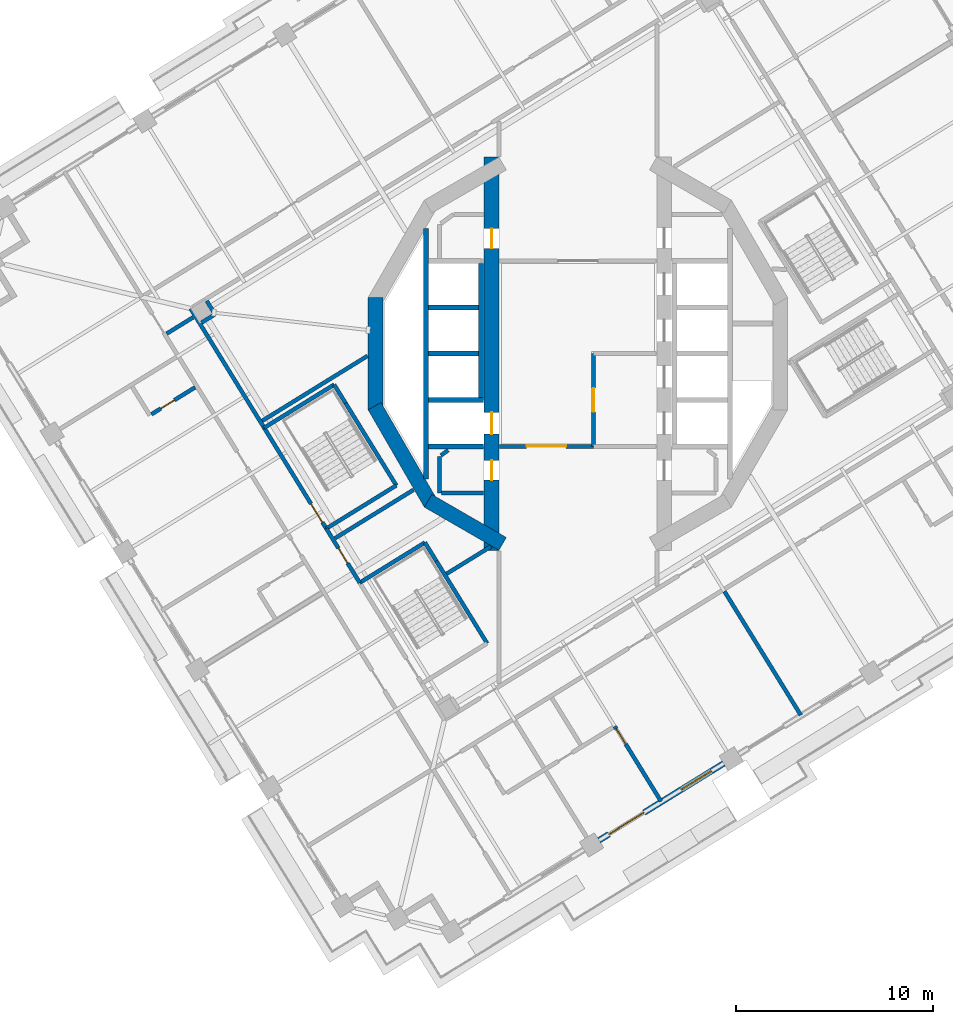
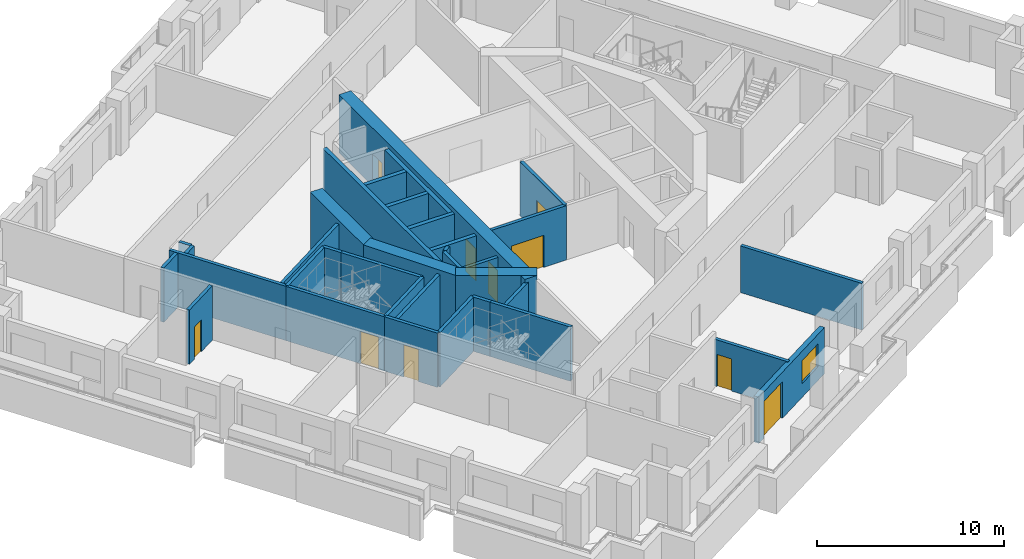
# One storey, part 5 of 20: 35 walls, 10 doors, 1 window, 11 openings.
"""IFC4 building model written with IfcOpenShell, lengths in metres."""

from ifc_helpers import new_model, si_unit, direction, frame, frame_2d, origin, place, context, subcontext, project, spatial, rectangle, extrude, material, layer, layer_set, type_object, element, fill, save


model = new_model("IFC4")

# Units and contexts
model_context = context("Model", 3, precision=1e-05, world=origin(), true_north=direction((0.0, 1.0)))
body_context = subcontext(model_context, "Body", "Model", "MODEL_VIEW")
ifc_project = project(units=[si_unit("LENGTHUNIT", "METRE"), si_unit("AREAUNIT", "SQUARE_METRE"), si_unit("VOLUMEUNIT", "CUBIC_METRE"), si_unit("PLANEANGLEUNIT", "RADIAN"), si_unit("MASSUNIT", "GRAM", prefix="KILO")], contexts=[model_context])

# Site, building, storey
site_placement = place(None, origin())
site = spatial("IfcSite", under=ifc_project, at=site_placement, CompositionType="ELEMENT")
building_placement = place(site_placement, origin())
building = spatial("IfcBuilding", under=site, at=building_placement, Name="Cantera Rosa Tower", CompositionType="ELEMENT")
storey_placement = place(building_placement, frame((0.0, 0.0, 181.800048828125)))
storey = spatial("IfcBuildingStorey", under=building, at=storey_placement, Name="L40", CompositionType="ELEMENT", Elevation=181.800048828125)

# Walls
ifc_material_1 = material(Name="Gypsum board partition")
ifc_layer_1 = layer(ifc_material_1, 0.199951171875)
ifc_layer_set_1 = layer_set([ifc_layer_1], Name="CORRIDOR WALL 200 H3550")
wall_type_1 = type_object("IfcWallType", Name="CORRIDOR WALL 200 H3550", PredefinedType="PARTITIONING", material=ifc_layer_set_1)
wall_1_placement = place(storey_placement, frame((-20.8349609375, 1.015380859375, 0.0), z_axis=(0.0, 0.0, 1.0), x_axis=(0.851143253059, 0.52493348414, 0.0)))
element("IfcWall", 1, at=wall_1_placement, inside=storey, type_object=wall_type_1, Name="CORRIDOR WALL L40-005", PredefinedType="PARTITIONING", context=body_context, shape_type="SweptSolid", body=[
    extrude(rectangle(XDim=1.579833984375, YDim=0.199951171875, at=frame_2d((0.7900390625, 0.0))), origin(), (0.0, 0.0, 1.0), 3.550048828125),
])
wall_2_placement = place(storey_placement, frame((-19.623291015625, 2.2890625, 0.0), z_axis=(0.0, 0.0, 1.0), x_axis=(0.524973806956, -0.851118383076, 0.0)))
element("IfcWall", 2, at=wall_2_placement, inside=storey, type_object=wall_type_1, Name="CORRIDOR WALL L40-006", PredefinedType="PARTITIONING", context=body_context, shape_type="SweptSolid", body=[
    extrude(rectangle(XDim=7.100830078125, YDim=0.199951171875, at=frame_2d((3.55029296875, 0.0))), origin(), (0.0, 0.0, 1.0), 3.550048828125),
])

# Wall, opening, door
wall_3_placement = place(storey_placement, frame((-12.74560546875, -8.861328125, 0.0), z_axis=(0.0, 0.0, 1.0), x_axis=(0.524959112102, -0.851127446756, 0.0)))
wall_3 = element("IfcWall", 3, at=wall_3_placement, inside=storey, type_object=wall_type_1, Name="CORRIDOR WALL L40-017", PredefinedType="PARTITIONING", context=body_context, shape_type="SweptSolid", body=[
    extrude(rectangle(XDim=3.223876953125, YDim=0.199951171875, at=frame_2d((1.61181640625, 0.0))), origin(), (0.0, 0.0, 1.0), 3.550048828125),
])
opening_1_placement = place(wall_3_placement, frame((1.16455078125, 0.0, 0.0)))
opening_1 = element("IfcOpeningElement", 4, at=opening_1_placement, cuts=wall_3, Name="Opening L40-008", PredefinedType="OPENING", context=body_context, shape_type="SweptSolid", body=[
    extrude(rectangle(XDim=0.89990234375, YDim=2.10009765625, at=frame_2d((0.449951171875, 1.050048828125))), frame((0.0, 0.10986328125, 0.0), z_axis=(0.0, -1.0, 0.0), x_axis=(1.0, 0.0, 0.0)), (0.0, 0.0, 1.0), 0.219970703125),
])
ifc_material_2 = material(Name="Timber door leaf", Category="wood")
door_type_1 = type_object("IfcDoorType", Name="SERVICE DOOR 900x2100", OperationType="NOTDEFINED", PredefinedType="DOOR", material=ifc_material_2)
door_1_placement = place(opening_1_placement, origin())
door_1 = element("IfcDoor", 5, at=door_1_placement, inside=storey, type_object=door_type_1, Name="DOOR L40-008", OperationType="NOTDEFINED", OverallHeight=2.10009765625, OverallWidth=0.89990234375, PredefinedType="DOOR", context=body_context, shape_type="SweptSolid", body=[
    extrude(rectangle(XDim=0.89990234375, YDim=2.10009765625, at=frame_2d((0.449951171875, 1.050048828125))), frame((0.0, 0.02490234375, 0.0), z_axis=(0.0, -1.0, 0.0), x_axis=(1.0, 0.0, 0.0)), (0.0, 0.0, 1.0), 0.050048828125),
])
fill(opening_1, door_1)

wall_4_placement = place(storey_placement, frame((0.800048828125, -4.699951171875, 0.0), z_axis=(0.0, 0.0, 1.0), x_axis=(-1.0, 0.0, 0.0)))
wall_4 = element("IfcWall", 6, at=wall_4_placement, inside=storey, type_object=wall_type_1, Name="CORRIDOR WALL L40-057", PredefinedType="PARTITIONING", context=body_context, shape_type="SweptSolid", body=[
    extrude(rectangle(XDim=4.77001953125, YDim=0.199951171875, at=frame_2d((2.385009765625, 0.0))), origin(), (0.0, 0.0, 1.0), 3.550048828125),
])
opening_2_placement = place(wall_4_placement, frame((1.39990234375, 0.0, 0.0)))
opening_2 = element("IfcOpeningElement", 7, at=opening_2_placement, cuts=wall_4, Name="Opening L40-014", PredefinedType="OPENING", context=body_context, shape_type="SweptSolid", body=[
    extrude(rectangle(XDim=2.0, YDim=2.10009765625, at=frame_2d((1.0, 1.050048828125))), frame((0.0, 0.10986328125, 0.0), z_axis=(0.0, -1.0, 0.0), x_axis=(1.0, 0.0, 0.0)), (0.0, 0.0, 1.0), 0.219970703125),
])
ifc_material_3 = material(Name="Steel S355J2 (EN 10025-2)", Category="steel")
door_type_2 = type_object("IfcDoorType", Name="LOBBY SCREEN DOOR 2000x2100", OperationType="NOTDEFINED", PredefinedType="DOOR", material=ifc_material_3)
door_2_placement = place(opening_2_placement, origin())
door_2 = element("IfcDoor", 8, at=door_2_placement, inside=storey, type_object=door_type_2, Name="DOOR L40-014", OperationType="NOTDEFINED", OverallHeight=2.10009765625, OverallWidth=2.0, PredefinedType="DOOR", context=body_context, shape_type="SweptSolid", body=[
    extrude(rectangle(XDim=2.0, YDim=2.10009765625, at=frame_2d((1.0, 1.050048828125))), frame((0.0, 0.02490234375, 0.0), z_axis=(0.0, -1.0, 0.0), x_axis=(1.0, 0.0, 0.0)), (0.0, 0.0, 1.0), 0.050048828125),
])
fill(opening_2, door_2)

# Wall, openings, window, door
ifc_material_4 = material(Name="Hollow clay masonry with cantera stone cladding", Category="masonry")
ifc_layer_2 = layer(ifc_material_4, 0.300048828125)
ifc_layer_set_2 = layer_set([ifc_layer_2], Name="EW-LOGGIA 300 H3020")
wall_type_2 = type_object("IfcWallType", Name="EW-LOGGIA 300 H3020", PredefinedType="SOLIDWALL", material=ifc_layer_set_2)
wall_5_placement = place(storey_placement, frame((1.07421875, -24.656982421875, 0.0), z_axis=(0.0, 0.0, 1.0), x_axis=(0.85112578684, 0.524961803349, 0.0)))
wall_5 = element("IfcWall", 9, at=wall_5_placement, inside=storey, type_object=wall_type_2, Name="EN-L40-W23", PredefinedType="SOLIDWALL", context=body_context, shape_type="SweptSolid", body=[
    extrude(rectangle(XDim=7.420166015625, YDim=0.300048828125, at=frame_2d((3.7099609375, 0.0))), origin(), (0.0, 0.0, 1.0), 3.02001953125),
])
opening_3_placement = place(wall_5_placement, frame((0.580078125, 0.0, 0.0)))
opening_3 = element("IfcOpeningElement", 10, at=opening_3_placement, cuts=wall_5, Name="Opening L40-TD29", PredefinedType="OPENING", context=body_context, shape_type="SweptSolid", body=[
    extrude(rectangle(XDim=2.10009765625, YDim=2.39990234375, at=frame_2d((1.050048828125, 1.199951171875))), frame((0.0, 0.159912109375, 0.0), z_axis=(0.0, -1.0, 0.0), x_axis=(1.0, 0.0, 0.0)), (0.0, 0.0, 1.0), 0.320068359375),
])
opening_4_placement = place(wall_5_placement, frame((4.889892578125, 0.0, 0.89990234375)))
opening_4 = element("IfcOpeningElement", 11, at=opening_4_placement, cuts=wall_5, Name="Opening L40-W30", PredefinedType="OPENING", context=body_context, shape_type="SweptSolid", body=[
    extrude(rectangle(XDim=1.800048828125, YDim=1.5, at=frame_2d((0.89990234375, 0.75))), frame((0.0, 0.159912109375, 0.0), z_axis=(0.0, -1.0, 0.0), x_axis=(1.0, 0.0, 0.0)), (0.0, 0.0, 1.0), 0.320068359375),
])
ifc_material_5 = material(Name="Aluminium frame with clear glass", Category="aluminium")
window_type = type_object("IfcWindowType", Name="Hotel room window 1800x1500", PartitioningType="DOUBLE_PANEL_VERTICAL", PredefinedType="WINDOW", material=ifc_material_5)
window_placement = place(opening_4_placement, origin())
window = element("IfcWindow", 12, at=window_placement, inside=storey, type_object=window_type, Name="WINDOW L40-W30", OverallHeight=1.5, OverallWidth=1.800048828125, PartitioningType="SINGLE_PANEL", PredefinedType="WINDOW", context=body_context, shape_type="SweptSolid", body=[
    extrude(rectangle(XDim=1.800048828125, YDim=1.5, at=frame_2d((0.89990234375, 0.75))), frame((0.0, 0.030029296875, 0.0), z_axis=(0.0, -1.0, 0.0), x_axis=(1.0, 0.0, 0.0)), (0.0, 0.0, 1.0), 0.06005859375),
])
fill(opening_4, window)
ifc_material_6 = material(Name="Aluminium frame with clear glass", Category="aluminium")
door_type_3 = type_object("IfcDoorType", Name="TD-H 2100x2400", OperationType="NOTDEFINED", PredefinedType="DOOR", material=ifc_material_6)
door_3_placement = place(opening_3_placement, origin())
door_3 = element("IfcDoor", 13, at=door_3_placement, inside=storey, type_object=door_type_3, Name="LOGGIA DOOR L40-TD29", OperationType="SLIDING_TO_LEFT", OverallHeight=2.39990234375, OverallWidth=2.10009765625, PredefinedType="DOOR", context=body_context, shape_type="SweptSolid", body=[
    extrude(rectangle(XDim=2.10009765625, YDim=2.39990234375, at=frame_2d((1.050048828125, 1.199951171875))), frame((0.0, 0.02490234375, 0.0), z_axis=(0.0, -1.0, 0.0), x_axis=(1.0, 0.0, 0.0)), (0.0, 0.0, 1.0), 0.050048828125),
])
fill(opening_3, door_3)

# Wall, opening, door
ifc_material_7 = material(Name="Gypsum board partition")
ifc_layer_3 = layer(ifc_material_7, 0.199951171875)
ifc_layer_set_3 = layer_set([ifc_layer_3], Name="PARTITION 200 H3050")
wall_type_3 = type_object("IfcWallType", Name="PARTITION 200 H3050", PredefinedType="PARTITIONING", material=ifc_layer_set_3)
wall_6_placement = place(storey_placement, frame((1.86962890625, -18.87939453125, 0.0), z_axis=(0.0, 0.0, 1.0), x_axis=(0.524986965499, -0.851110266685, 0.0)))
wall_6 = element("IfcWall", 14, at=wall_6_placement, inside=storey, type_object=wall_type_3, Name="PARTITION L40-062", PredefinedType="PARTITIONING", context=body_context, shape_type="SweptSolid", body=[
    extrude(rectangle(XDim=4.469970703125, YDim=0.199951171875, at=frame_2d((2.23486328125, 0.0))), origin(), (0.0, 0.0, 1.0), 3.050048828125),
])
opening_5_placement = place(wall_6_placement, frame((0.14990234375, 0.0, 0.0)))
opening_5 = element("IfcOpeningElement", 15, at=opening_5_placement, cuts=wall_6, Name="Opening L40-037", PredefinedType="OPENING", context=body_context, shape_type="SweptSolid", body=[
    extrude(rectangle(XDim=0.89990234375, YDim=2.10009765625, at=frame_2d((0.449951171875, 1.050048828125))), frame((0.0, 0.10986328125, 0.0), z_axis=(0.0, -1.0, 0.0), x_axis=(1.0, 0.0, 0.0)), (0.0, 0.0, 1.0), 0.219970703125),
])
ifc_material_8 = material(Name="Timber door leaf", Category="wood")
door_type_4 = type_object("IfcDoorType", Name="ROOM DOOR 900x2100", OperationType="NOTDEFINED", PredefinedType="DOOR", material=ifc_material_8)
door_4_placement = place(opening_5_placement, origin())
door_4 = element("IfcDoor", 16, at=door_4_placement, inside=storey, type_object=door_type_4, Name="DOOR L40-037", OperationType="NOTDEFINED", OverallHeight=2.10009765625, OverallWidth=0.89990234375, PredefinedType="DOOR", context=body_context, shape_type="SweptSolid", body=[
    extrude(rectangle(XDim=0.89990234375, YDim=2.10009765625, at=frame_2d((0.449951171875, 1.050048828125))), frame((0.0, 0.02490234375, 0.0), z_axis=(0.0, -1.0, 0.0), x_axis=(1.0, 0.0, 0.0)), (0.0, 0.0, 1.0), 0.050048828125),
])
fill(opening_5, door_4)

ifc_material_9 = material(Name="Gypsum board partition")
ifc_layer_4 = layer(ifc_material_9, 0.199951171875)
ifc_layer_set_4 = layer_set([ifc_layer_4], Name="PARTITION 200 H3550")
wall_type_4 = type_object("IfcWallType", Name="PARTITION 200 H3550", PredefinedType="PARTITIONING", material=ifc_layer_set_4)
wall_7_placement = place(storey_placement, frame((-19.392578125, -1.704345703125, 0.0), z_axis=(0.0, 0.0, 1.0), x_axis=(-0.851106537623, -0.524993011016, 0.0)))
wall_7 = element("IfcWall", 17, at=wall_7_placement, inside=storey, type_object=wall_type_4, Name="PARTITION L40-007", PredefinedType="PARTITIONING", context=body_context, shape_type="SweptSolid", body=[
    extrude(rectangle(XDim=2.60009765625, YDim=0.199951171875, at=frame_2d((1.300048828125, 0.0))), origin(), (0.0, 0.0, 1.0), 3.550048828125),
])
opening_6_placement = place(wall_7_placement, frame((1.236083984375, 0.0, 0.0)))
opening_6 = element("IfcOpeningElement", 18, at=opening_6_placement, cuts=wall_7, Name="Opening L40-032", PredefinedType="OPENING", context=body_context, shape_type="SweptSolid", body=[
    extrude(rectangle(XDim=0.800048828125, YDim=2.10009765625, at=frame_2d((0.39990234375, 1.050048828125))), frame((0.0, 0.10986328125, 0.0), z_axis=(0.0, -1.0, 0.0), x_axis=(1.0, 0.0, 0.0)), (0.0, 0.0, 1.0), 0.219970703125),
])
ifc_material_10 = material(Name="Timber door leaf", Category="wood")
door_type_5 = type_object("IfcDoorType", Name="BATHROOM DOOR 800x2100", OperationType="NOTDEFINED", PredefinedType="DOOR", material=ifc_material_10)
door_5_placement = place(opening_6_placement, origin())
door_5 = element("IfcDoor", 19, at=door_5_placement, inside=storey, type_object=door_type_5, Name="DOOR L40-032", OperationType="NOTDEFINED", OverallHeight=2.10009765625, OverallWidth=0.800048828125, PredefinedType="DOOR", context=body_context, shape_type="SweptSolid", body=[
    extrude(rectangle(XDim=0.800048828125, YDim=2.10009765625, at=frame_2d((0.39990234375, 1.050048828125))), frame((0.0, 0.02490234375, 0.0), z_axis=(0.0, -1.0, 0.0), x_axis=(1.0, 0.0, 0.0)), (0.0, 0.0, 1.0), 0.050048828125),
])
fill(opening_6, door_5)

# Walls
wall_8_placement = place(storey_placement, frame((-19.065673828125, 1.575439453125, 0.0), z_axis=(0.0, 0.0, 1.0), x_axis=(0.85101860469, 0.525135539144, 0.0)))
element("IfcWall", 20, at=wall_8_placement, inside=storey, type_object=wall_type_4, Name="PARTITION L40-008", PredefinedType="PARTITIONING", context=body_context, shape_type="SweptSolid", body=[
    extrude(rectangle(XDim=0.800048828125, YDim=0.199951171875, at=frame_2d((0.39990234375, 0.0))), origin(), (0.0, 0.0, 1.0), 3.550048828125),
])
wall_9_placement = place(storey_placement, frame((-18.437255859375, 2.08056640625, 0.0), z_axis=(0.0, 0.0, 1.0), x_axis=(-0.524817119332, 0.851215008829, 0.0)))
element("IfcWall", 21, at=wall_9_placement, inside=storey, type_object=wall_type_4, Name="PARTITION L40-009", PredefinedType="PARTITIONING", context=body_context, shape_type="SweptSolid", body=[
    extrude(rectangle(XDim=0.7001953125, YDim=0.199951171875, at=frame_2d((0.35009765625, 0.0))), origin(), (0.0, 0.0, 1.0), 3.550048828125),
])
wall_10_placement = place(storey_placement, frame((-12.302734375, -9.350830078125, 0.0), z_axis=(0.0, 0.0, 1.0), x_axis=(0.851127330536, 0.524959300532, 0.0)))
element("IfcWall", 22, at=wall_10_placement, inside=storey, type_object=wall_type_4, Name="PARTITION L40-018", PredefinedType="PARTITIONING", context=body_context, shape_type="SweptSolid", body=[
    extrude(rectangle(XDim=4.6767578125, YDim=0.199951171875, at=frame_2d((2.33837890625, 0.0))), origin(), (0.0, 0.0, 1.0), 3.550048828125),
])
wall_11_placement = place(storey_placement, frame((-10.6552734375, -0.110107421875, 0.0), z_axis=(0.0, 0.0, 1.0), x_axis=(-0.851110010031, -0.524987381587, 0.0)))
element("IfcWall", 23, at=wall_11_placement, inside=storey, type_object=wall_type_4, Name="PARTITION L40-021", PredefinedType="PARTITIONING", context=body_context, shape_type="SweptSolid", body=[
    extrude(rectangle(XDim=6.2734375, YDim=0.199951171875, at=frame_2d((3.13671875, 0.0))), origin(), (0.0, 0.0, 1.0), 3.550048828125),
])
wall_12_placement = place(storey_placement, frame((-7.0, -7.050048828125, 0.0), z_axis=(0.0, 0.0, 1.0), x_axis=(0.0, 1.0, 0.0)))
element("IfcWall", 24, at=wall_12_placement, inside=storey, type_object=wall_type_4, Name="PARTITION L40-034", PredefinedType="PARTITIONING", context=body_context, shape_type="SweptSolid", body=[
    extrude(rectangle(XDim=1.85009765625, YDim=0.199951171875, at=frame_2d((0.925048828125, 0.0))), origin(), (0.0, 0.0, 1.0), 3.550048828125),
])
wall_13_placement = place(storey_placement, frame((-6.935302734375, -5.15283203125, 0.0), z_axis=(0.0, 0.0, 1.0), x_axis=(0.808147744029, 0.58897981614, 0.0)))
element("IfcWall", 25, at=wall_13_placement, inside=storey, type_object=wall_type_4, Name="PARTITION L40-035", PredefinedType="PARTITIONING", context=body_context, shape_type="SweptSolid", body=[
    extrude(rectangle(XDim=0.448974609375, YDim=0.199951171875, at=frame_2d((0.224609375, 0.0))), origin(), (0.0, 0.0, 1.0), 3.550048828125),
])
wall_14_placement = place(storey_placement, frame((-4.780029296875, -7.050048828125, 0.0), z_axis=(0.0, 0.0, 1.0), x_axis=(-1.0, 0.0, 0.0)))
element("IfcWall", 26, at=wall_14_placement, inside=storey, type_object=wall_type_4, Name="PARTITION L40-043", PredefinedType="PARTITIONING", context=body_context, shape_type="SweptSolid", body=[
    extrude(rectangle(XDim=2.139892578125, YDim=0.199951171875, at=frame_2d((1.06982421875, 0.0))), origin(), (0.0, 0.0, 1.0), 3.550048828125),
])
wall_15_placement = place(storey_placement, frame((-4.399658203125, -9.763427734375, 0.0), z_axis=(0.0, 0.0, 1.0), x_axis=(-0.851132424014, -0.524951042281, 0.0)))
element("IfcWall", 27, at=wall_15_placement, inside=storey, type_object=wall_type_4, Name="PARTITION L40-047", PredefinedType="PARTITIONING", context=body_context, shape_type="SweptSolid", body=[
    extrude(rectangle(XDim=2.648193359375, YDim=0.199951171875, at=frame_2d((1.32421875, 0.0))), origin(), (0.0, 0.0, 1.0), 3.550048828125),
])
ifc_material_11 = material(Name="Gypsum board partition")
ifc_layer_5 = layer(ifc_material_11, 0.199951171875)
ifc_layer_set_5 = layer_set([ifc_layer_5], Name="PARTY WALL 200 H3050")
wall_type_5 = type_object("IfcWallType", Name="PARTY WALL 200 H3050", PredefinedType="PARTITIONING", material=ifc_layer_set_5)
wall_16_placement = place(storey_placement, frame((7.428466796875, -12.043212890625, 0.0), z_axis=(0.0, 0.0, 1.0), x_axis=(0.52498429839, -0.851111911821, 0.0)))
element("IfcWall", 28, at=wall_16_placement, inside=storey, type_object=wall_type_5, Name="PARTY WALL L40-082", PredefinedType="PARTITIONING", context=body_context, shape_type="SweptSolid", body=[
    extrude(rectangle(XDim=7.3701171875, YDim=0.199951171875, at=frame_2d((3.68505859375, 0.0))), origin(), (0.0, 0.0, 1.0), 3.050048828125),
])
ifc_material_12 = material(Name="Concrete C60/75", Category="concrete")
ifc_layer_6 = layer(ifc_material_12, 0.75)
ifc_layer_set_6 = layer_set([ifc_layer_6], Name="RC CORE WALL 750 C60/75")
wall_type_6 = type_object("IfcWallType", Name="RC CORE WALL 750 C60/75", PredefinedType="SHEAR", material=ifc_layer_set_6)
wall_17_placement = place(storey_placement, frame((-3.8125, -9.634765625, 0.0), z_axis=(0.0, 0.0, 1.0), x_axis=(-0.866013176292, 0.50002117804, 0.0)))
element("IfcWall", 29, at=wall_17_placement, inside=storey, type_object=wall_type_6, Name="CW-W1 L40", PredefinedType="SHEAR", context=body_context, shape_type="SweptSolid", body=[
    extrude(rectangle(XDim=4.362548828125, YDim=0.75, at=frame_2d((2.18115234375, 0.0))), origin(), (0.0, 0.0, 1.0), 3.800048828125),
])
wall_18_placement = place(storey_placement, frame((-7.453369140625, -7.590576171875, 0.0), z_axis=(0.0, 0.0, 1.0), x_axis=(-0.500021842983, 0.866012792365, 0.0)))
element("IfcWall", 30, at=wall_18_placement, inside=storey, type_object=wall_type_6, Name="CW-W2 L40", PredefinedType="SHEAR", context=body_context, shape_type="SweptSolid", body=[
    extrude(rectangle(XDim=5.694091796875, YDim=0.75, at=frame_2d((2.84716796875, 0.0))), origin(), (0.0, 0.0, 1.0), 3.800048828125),
])
wall_19_placement = place(storey_placement, frame((-10.250244140625, -2.846923828125, 0.0), z_axis=(0.0, 0.0, 1.0), x_axis=(0.0, 1.0, 0.0)))
element("IfcWall", 31, at=wall_19_placement, inside=storey, type_object=wall_type_6, Name="CW-W3 L40", PredefinedType="SHEAR", context=body_context, shape_type="SweptSolid", body=[
    extrude(rectangle(XDim=5.69384765625, YDim=0.75, at=frame_2d((2.846923828125, 0.0))), origin(), (0.0, 0.0, 1.0), 3.800048828125),
])

# Wall, openings, doors
wall_20_placement = place(storey_placement, frame((-4.375, 9.95947265625, 0.0), z_axis=(0.0, 0.0, 1.0), x_axis=(0.0, -1.0, 0.0)))
wall_20 = element("IfcWall", 32, at=wall_20_placement, inside=storey, type_object=wall_type_6, Name="CW-W6 L40", PredefinedType="SHEAR", context=body_context, shape_type="SweptSolid", body=[
    extrude(rectangle(XDim=19.9189453125, YDim=0.75, at=frame_2d((9.95947265625, 0.0))), origin(), (0.0, 0.0, 1.0), 3.800048828125),
])
opening_7_placement = place(wall_20_placement, frame((12.9345703125, 0.0, 0.0)))
opening_7 = element("IfcOpeningElement", 33, at=opening_7_placement, cuts=wall_20, Name="Opening LD-P3-L40", PredefinedType="OPENING", context=body_context, shape_type="SweptSolid", body=[
    extrude(rectangle(XDim=1.10009765625, YDim=2.10009765625, at=frame_2d((0.550048828125, 1.050048828125))), frame((0.0, 0.385009765625, 0.0), z_axis=(0.0, -1.0, 0.0), x_axis=(1.0, 0.0, 0.0)), (0.0, 0.0, 1.0), 0.77001953125),
])
opening_8_placement = place(wall_20_placement, frame((15.368408203125, 0.0, 0.0)))
opening_8 = element("IfcOpeningElement", 34, at=opening_8_placement, cuts=wall_20, Name="Opening SD-L40-16", PredefinedType="OPENING", context=body_context, shape_type="SweptSolid", body=[
    extrude(rectangle(XDim=1.0, YDim=2.10009765625, at=frame_2d((0.5, 1.050048828125))), frame((0.0, 0.385009765625, 0.0), z_axis=(0.0, -1.0, 0.0), x_axis=(1.0, 0.0, 0.0)), (0.0, 0.0, 1.0), 0.77001953125),
])
opening_9_placement = place(wall_20_placement, frame((3.618408203125, 0.0, 0.0)))
opening_9 = element("IfcOpeningElement", 35, at=opening_9_placement, cuts=wall_20, Name="Opening SD-L40-17", PredefinedType="OPENING", context=body_context, shape_type="SweptSolid", body=[
    extrude(rectangle(XDim=1.0, YDim=2.10009765625, at=frame_2d((0.5, 1.050048828125))), frame((0.0, 0.385009765625, 0.0), z_axis=(0.0, -1.0, 0.0), x_axis=(1.0, 0.0, 0.0)), (0.0, 0.0, 1.0), 0.77001953125),
])
ifc_material_13 = material(Name="Steel S355J2 (EN 10025-2)", Category="steel")
door_type_6 = type_object("IfcDoorType", Name="LANDING DOOR 1100x2100", OperationType="NOTDEFINED", PredefinedType="DOOR", material=ifc_material_13)
door_6_placement = place(opening_7_placement, origin())
door_6 = element("IfcDoor", 36, at=door_6_placement, inside=storey, type_object=door_type_6, Name="LANDING DOOR P3 L40", OperationType="SLIDING_TO_LEFT", OverallHeight=2.10009765625, OverallWidth=1.10009765625, PredefinedType="DOOR", context=body_context, shape_type="SweptSolid", body=[
    extrude(rectangle(XDim=1.10009765625, YDim=2.10009765625, at=frame_2d((0.550048828125, 1.050048828125))), frame((0.0, 0.02490234375, 0.0), z_axis=(0.0, -1.0, 0.0), x_axis=(1.0, 0.0, 0.0)), (0.0, 0.0, 1.0), 0.050048828125),
])
fill(opening_7, door_6)
ifc_material_14 = material(Name="Timber door leaf", Category="wood")
door_type_7 = type_object("IfcDoorType", Name="SERVICE DOOR 1000x2100", OperationType="NOTDEFINED", PredefinedType="DOOR", material=ifc_material_14)
door_7_placement = place(opening_8_placement, origin())
door_7 = element("IfcDoor", 37, at=door_7_placement, inside=storey, type_object=door_type_7, Name="DOOR L40-SD16", OperationType="NOTDEFINED", OverallHeight=2.10009765625, OverallWidth=1.0, PredefinedType="DOOR", context=body_context, shape_type="SweptSolid", body=[
    extrude(rectangle(XDim=1.0, YDim=2.10009765625, at=frame_2d((0.5, 1.050048828125))), frame((0.0, 0.02490234375, 0.0), z_axis=(0.0, -1.0, 0.0), x_axis=(1.0, 0.0, 0.0)), (0.0, 0.0, 1.0), 0.050048828125),
])
fill(opening_8, door_7)
door_8_placement = place(opening_9_placement, origin())
door_8 = element("IfcDoor", 38, at=door_8_placement, inside=storey, type_object=door_type_7, Name="DOOR L40-SD17", OperationType="NOTDEFINED", OverallHeight=2.10009765625, OverallWidth=1.0, PredefinedType="DOOR", context=body_context, shape_type="SweptSolid", body=[
    extrude(rectangle(XDim=1.0, YDim=2.10009765625, at=frame_2d((0.5, 1.050048828125))), frame((0.0, 0.02490234375, 0.0), z_axis=(0.0, -1.0, 0.0), x_axis=(1.0, 0.0, 0.0)), (0.0, 0.0, 1.0), 0.050048828125),
])
fill(opening_9, door_8)

# Walls
ifc_material_15 = material(Name="Masonry blockwork", Category="masonry")
ifc_layer_7 = layer(ifc_material_15, 0.25)
ifc_layer_set_7 = layer_set([ifc_layer_7], Name="SHAFT WALL 250 H3550")
wall_type_7 = type_object("IfcWallType", Name="SHAFT WALL 250 H3550", PredefinedType="SOLIDWALL", material=ifc_layer_set_7)
wall_21_placement = place(storey_placement, frame((-7.574951171875, -2.35009765625, 0.0), z_axis=(0.0, 0.0, 1.0), x_axis=(1.0, 0.0, 0.0)))
element("IfcWall", 39, at=wall_21_placement, inside=storey, type_object=wall_type_7, Name="SHAFT WALL L40-026", PredefinedType="SOLIDWALL", context=body_context, shape_type="SweptSolid", body=[
    extrude(rectangle(XDim=2.794921875, YDim=0.25, at=frame_2d((1.3974609375, 0.0))), origin(), (0.0, 0.0, 1.0), 3.550048828125),
])
for number, where, z_axis, x_axis, name in (
    (40, (-7.574951171875, 0.0, 0.0), (0.0, 0.0, 1.0), (1.0, 0.0, 0.0), "SHAFT WALL L40-027"),
    (41, (-7.574951171875, 2.35009765625, 0.0), (0.0, 0.0, 1.0), (1.0, 0.0, 0.0), "SHAFT WALL L40-028"),
):
    element("IfcWall", number, at=place(storey_placement, frame(where, z_axis=z_axis, x_axis=x_axis)), inside=storey, type_object=wall_type_7, Name=name, PredefinedType="SOLIDWALL", context=body_context, shape_type="SweptSolid", body=[
        extrude(rectangle(XDim=2.550048828125, YDim=0.25, at=frame_2d((1.27490234375, 0.0))), origin(), (0.0, 0.0, 1.0), 3.550048828125),
    ])
wall_22_placement = place(storey_placement, frame((-7.699951171875, 6.353515625, 0.0), z_axis=(0.0, 0.0, 1.0), x_axis=(0.0, -1.0, 0.0)))
element("IfcWall", 42, at=wall_22_placement, inside=storey, type_object=wall_type_7, Name="SHAFT WALL L40-030", PredefinedType="SOLIDWALL", context=body_context, shape_type="SweptSolid", body=[
    extrude(rectangle(XDim=12.70703125, YDim=0.25, at=frame_2d((6.353515625, 0.0))), origin(), (0.0, 0.0, 1.0), 3.550048828125),
])
wall_23_placement = place(storey_placement, frame((-4.89990234375, 4.580078125, 0.0), z_axis=(0.0, 0.0, 1.0), x_axis=(0.0, -1.0, 0.0)))
element("IfcWall", 43, at=wall_23_placement, inside=storey, type_object=wall_type_7, Name="SHAFT WALL L40-042", PredefinedType="SOLIDWALL", context=body_context, shape_type="SweptSolid", body=[
    extrude(rectangle(XDim=6.80517578125, YDim=0.25, at=frame_2d((3.402587890625, 0.0))), origin(), (0.0, 0.0, 1.0), 3.550048828125),
])
wall_24_placement = place(storey_placement, frame((-4.780029296875, -4.699951171875, 0.0), z_axis=(0.0, 0.0, 1.0), x_axis=(-1.0, 0.0, 0.0)))
element("IfcWall", 44, at=wall_24_placement, inside=storey, type_object=wall_type_7, Name="SHAFT WALL L40-044", PredefinedType="SOLIDWALL", context=body_context, shape_type="SweptSolid", body=[
    extrude(rectangle(XDim=2.794921875, YDim=0.25, at=frame_2d((1.3974609375, 0.0))), origin(), (0.0, 0.0, 1.0), 3.550048828125),
])

# Wall, opening, door
ifc_material_16 = material(Name="Concrete C50/60", Category="concrete")
ifc_layer_8 = layer(ifc_material_16, 0.199951171875)
ifc_layer_set_8 = layer_set([ifc_layer_8], Name="STAIR WALL 200 H3550")
wall_type_8 = type_object("IfcWallType", Name="STAIR WALL 200 H3550", PredefinedType="SOLIDWALL", material=ifc_layer_set_8)
wall_25_placement = place(storey_placement, frame((-15.8955078125, -3.754638671875, 0.0), z_axis=(0.0, 0.0, 1.0), x_axis=(0.524982543144, -0.851112994493, 0.0)))
wall_25 = element("IfcWall", 45, at=wall_25_placement, inside=storey, type_object=wall_type_8, Name="STAIR WALL L40-011", PredefinedType="SOLIDWALL", context=body_context, shape_type="SweptSolid", body=[
    extrude(rectangle(XDim=6.0, YDim=0.199951171875, at=frame_2d((3.0, 0.0))), origin(), (0.0, 0.0, 1.0), 3.550048828125),
])
opening_10_placement = place(wall_25_placement, frame((4.52490234375, 0.0, 0.0)))
opening_10 = element("IfcOpeningElement", 46, at=opening_10_placement, cuts=wall_25, Name="Opening L40-002", PredefinedType="OPENING", context=body_context, shape_type="SweptSolid", body=[
    extrude(rectangle(XDim=1.10009765625, YDim=2.10009765625, at=frame_2d((0.550048828125, 1.050048828125))), frame((0.0, 0.10986328125, 0.0), z_axis=(0.0, -1.0, 0.0), x_axis=(1.0, 0.0, 0.0)), (0.0, 0.0, 1.0), 0.219970703125),
])
ifc_material_17 = material(Name="Steel S355J2 (EN 10025-2)", Category="steel")
door_type_8 = type_object("IfcDoorType", Name="STAIR DOOR 1100x2100", OperationType="NOTDEFINED", PredefinedType="DOOR", material=ifc_material_17)
door_9_placement = place(opening_10_placement, origin())
door_9 = element("IfcDoor", 47, at=door_9_placement, inside=storey, type_object=door_type_8, Name="DOOR L40-002", OperationType="NOTDEFINED", OverallHeight=2.10009765625, OverallWidth=1.10009765625, PredefinedType="DOOR", context=body_context, shape_type="SweptSolid", body=[
    extrude(rectangle(XDim=1.10009765625, YDim=2.10009765625, at=frame_2d((0.550048828125, 1.050048828125))), frame((0.0, 0.02490234375, 0.0), z_axis=(0.0, -1.0, 0.0), x_axis=(1.0, 0.0, 0.0)), (0.0, 0.0, 1.0), 0.050048828125),
])
fill(opening_10, door_9)

# Walls
wall_26_placement = place(storey_placement, frame((-15.8955078125, -3.754638671875, 0.0), z_axis=(0.0, 0.0, 1.0), x_axis=(0.851120688733, 0.524970068871, 0.0)))
element("IfcWall", 48, at=wall_26_placement, inside=storey, type_object=wall_type_8, Name="STAIR WALL L40-012", PredefinedType="SOLIDWALL", context=body_context, shape_type="SweptSolid", body=[
    extrude(rectangle(XDim=4.16650390625, YDim=0.199951171875, at=frame_2d((2.083251953125, 0.0))), origin(), (0.0, 0.0, 1.0), 3.550048828125),
])
wall_27_placement = place(storey_placement, frame((-12.349365234375, -1.5673828125, 0.0), z_axis=(0.0, 0.0, 1.0), x_axis=(0.525162052325, -0.851002243709, 0.0)))
element("IfcWall", 49, at=wall_27_placement, inside=storey, type_object=wall_type_8, Name="STAIR WALL L40-019", PredefinedType="SOLIDWALL", context=body_context, shape_type="SweptSolid", body=[
    extrude(rectangle(XDim=1.099853515625, YDim=0.199951171875, at=frame_2d((0.5498046875, 0.0))), origin(), (0.0, 0.0, 1.0), 3.550048828125),
])
wall_28_placement = place(storey_placement, frame((-9.199462890625, -6.674072265625, 0.0), z_axis=(0.0, 0.0, 1.0), x_axis=(-0.851120688733, -0.524970068871, 0.0)))
element("IfcWall", 50, at=wall_28_placement, inside=storey, type_object=wall_type_8, Name="STAIR WALL L40-022", PredefinedType="SOLIDWALL", context=body_context, shape_type="SweptSolid", body=[
    extrude(rectangle(XDim=4.16650390625, YDim=0.199951171875, at=frame_2d((2.083251953125, 0.0))), origin(), (0.0, 0.0, 1.0), 3.550048828125),
])
wall_29_placement = place(storey_placement, frame((-7.749267578125, -9.5673828125, 0.0), z_axis=(0.0, 0.0, 1.0), x_axis=(-0.851124503894, -0.524963883397, 0.0)))
element("IfcWall", 51, at=wall_29_placement, inside=storey, type_object=wall_type_8, Name="STAIR WALL L40-025", PredefinedType="SOLIDWALL", context=body_context, shape_type="SweptSolid", body=[
    extrude(rectangle(XDim=3.8818359375, YDim=0.199951171875, at=frame_2d((1.94091796875, 0.0))), origin(), (0.0, 0.0, 1.0), 3.550048828125),
])
wall_30_placement = place(storey_placement, frame((-4.599365234375, -14.674072265625, 0.0), z_axis=(0.0, 0.0, 1.0), x_axis=(-0.524978338244, 0.85111558814, 0.0)))
element("IfcWall", 52, at=wall_30_placement, inside=storey, type_object=wall_type_8, Name="STAIR WALL L40-046", PredefinedType="SOLIDWALL", context=body_context, shape_type="SweptSolid", body=[
    extrude(rectangle(XDim=4.900146484375, YDim=0.199951171875, at=frame_2d((2.4501953125, 0.0))), origin(), (0.0, 0.0, 1.0), 3.550048828125),
])

# Wall, opening, door
wall_31_placement = place(storey_placement, frame((0.800048828125, -4.699951171875, 0.0), z_axis=(0.0, 0.0, 1.0), x_axis=(0.0, 1.0, 0.0)))
wall_31 = element("IfcWall", 53, at=wall_31_placement, inside=storey, type_object=wall_type_8, Name="STAIR WALL L40-058", PredefinedType="SOLIDWALL", context=body_context, shape_type="SweptSolid", body=[
    extrude(rectangle(XDim=4.699951171875, YDim=0.199951171875, at=frame_2d((2.35009765625, 0.0))), origin(), (0.0, 0.0, 1.0), 3.550048828125),
])
opening_11_placement = place(wall_31_placement, frame((1.75, 0.0, 0.0)))
opening_11 = element("IfcOpeningElement", 54, at=opening_11_placement, cuts=wall_31, Name="Opening L40-015", PredefinedType="OPENING", context=body_context, shape_type="SweptSolid", body=[
    extrude(rectangle(XDim=1.199951171875, YDim=2.10009765625, at=frame_2d((0.60009765625, 1.050048828125))), frame((0.0, 0.10986328125, 0.0), z_axis=(0.0, -1.0, 0.0), x_axis=(1.0, 0.0, 0.0)), (0.0, 0.0, 1.0), 0.219970703125),
])
ifc_material_18 = material(Name="Steel S355J2 (EN 10025-2)", Category="steel")
door_type_9 = type_object("IfcDoorType", Name="FIRE DOOR 1200x2100", OperationType="NOTDEFINED", PredefinedType="DOOR", material=ifc_material_18)
door_10_placement = place(opening_11_placement, origin())
door_10 = element("IfcDoor", 55, at=door_10_placement, inside=storey, type_object=door_type_9, Name="DOOR L40-015", OperationType="NOTDEFINED", OverallHeight=2.10009765625, OverallWidth=1.199951171875, PredefinedType="DOOR", context=body_context, shape_type="SweptSolid", body=[
    extrude(rectangle(XDim=1.199951171875, YDim=2.10009765625, at=frame_2d((0.60009765625, 1.050048828125))), frame((0.0, 0.02490234375, 0.0), z_axis=(0.0, -1.0, 0.0), x_axis=(1.0, 0.0, 0.0)), (0.0, 0.0, 1.0), 0.050048828125),
])
fill(opening_11, door_10)

# Walls
wall_32_placement = place(storey_placement, frame((-11.771728515625, -2.50341796875, 0.0), z_axis=(0.0, 0.0, 1.0), x_axis=(0.524942245614, -0.851137849452, 0.0)))
element("IfcWall", 56, at=wall_32_placement, inside=storey, type_object=wall_type_8, Name="STAIR WALL L40-019 J", PredefinedType="SOLIDWALL", context=body_context, shape_type="SweptSolid", body=[
    extrude(rectangle(XDim=4.900146484375, YDim=0.199951171875, at=frame_2d((2.4501953125, 0.0))), origin(), (0.0, 0.0, 1.0), 3.550048828125),
])
wall_33_placement = place(storey_placement, frame((-7.171875, -10.50341796875, 0.0), z_axis=(0.0, 0.0, 1.0), x_axis=(-0.52500127828, 0.851101438023, 0.0)))
element("IfcWall", 57, at=wall_33_placement, inside=storey, type_object=wall_type_8, Name="STAIR WALL L40-046 J", PredefinedType="SOLIDWALL", context=body_context, shape_type="SweptSolid", body=[
    extrude(rectangle(XDim=1.099853515625, YDim=0.199951171875, at=frame_2d((0.5498046875, 0.0))), origin(), (0.0, 0.0, 1.0), 3.550048828125),
])

save(model, "model.ifc")
